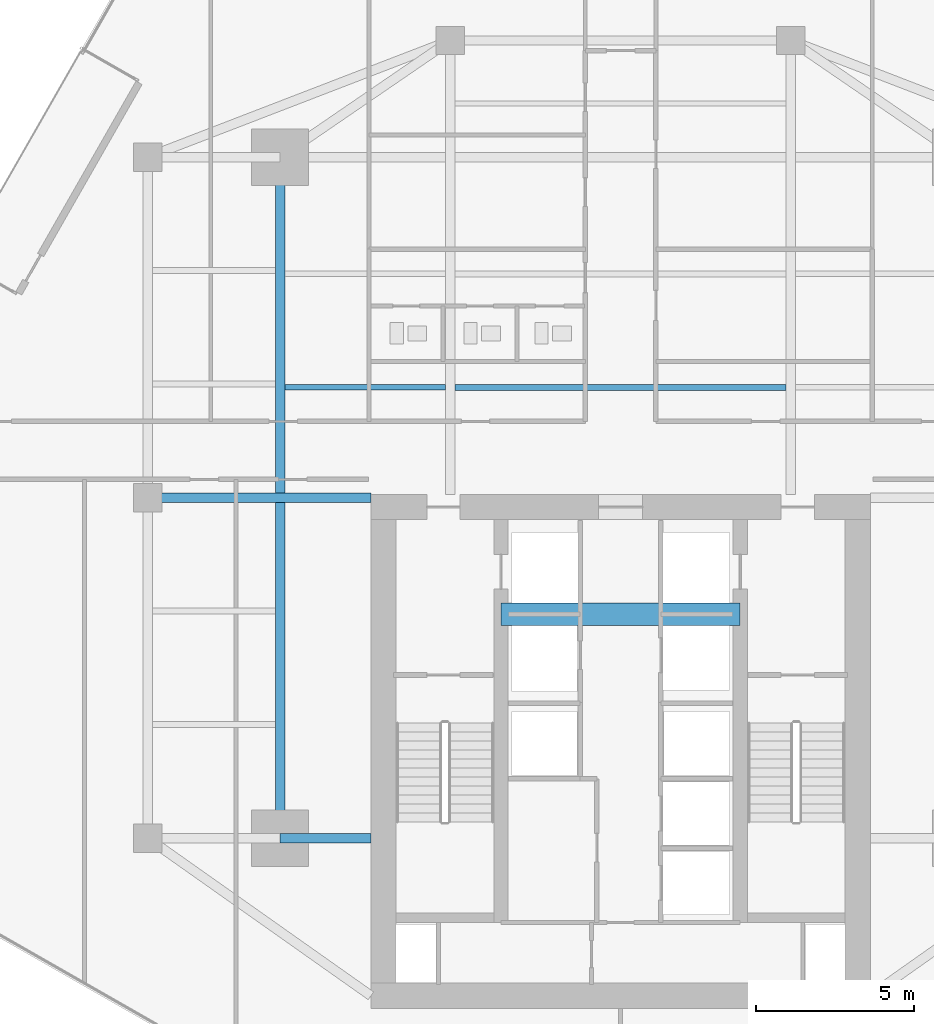
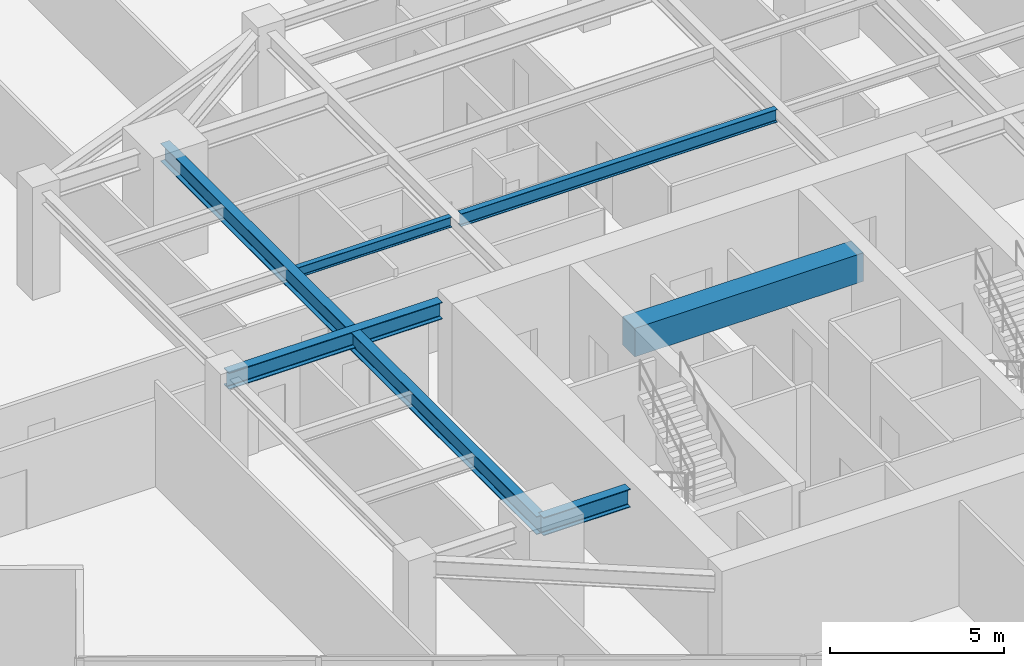
# One storey, part 8 of 24: 6 beams.
"""IFC4 building model written with IfcOpenShell, lengths in metres."""

from ifc_helpers import new_model, si_unit, direction, frame, origin, origin_2d, place, context, subcontext, project, spatial, rectangle, i_section, extrude, source, transform, mapped, material, material_profile, profile_set, type_object, type_shapes, element, save


model = new_model("IFC4")

# Units and contexts
model_context = context("Model", 3, precision=1e-05, world=origin(), true_north=direction((0.0, 1.0)))
body_context = subcontext(model_context, "Body", "Model", "MODEL_VIEW")
ifc_project = project(units=[si_unit("LENGTHUNIT", "METRE"), si_unit("AREAUNIT", "SQUARE_METRE"), si_unit("VOLUMEUNIT", "CUBIC_METRE"), si_unit("PLANEANGLEUNIT", "RADIAN"), si_unit("MASSUNIT", "GRAM", prefix="KILO")], contexts=[model_context])

# Site, building, storey
site_placement = place(None, origin())
site = spatial("IfcSite", under=ifc_project, at=site_placement, CompositionType="ELEMENT")
building_placement = place(site_placement, origin())
building = spatial("IfcBuilding", under=site, at=building_placement, Name="Krantzveldt Concourse Tower", CompositionType="ELEMENT")
storey_placement = place(building_placement, frame((0.0, 0.0, 162.0)))
storey = spatial("IfcBuildingStorey", under=building, at=storey_placement, Name="L39", CompositionType="ELEMENT", Elevation=162.0)

# Beams
ifc_material_1 = material(Name="Steel S355JR", Category="steel")
ifc_material_profile_1 = material_profile(ifc_material_1, i_section(OverallWidth=0.300048828125, OverallDepth=0.639892578125, WebThickness=0.013427734375, FlangeThickness=0.02587890625, FilletRadius=0.027099609375, at=origin_2d()), Name="Steel S355JR", Category="steel")
ifc_profile_set_1 = profile_set([ifc_material_profile_1], Name="Steel S355JR - HEA 650")
beam_type_1 = type_object("IfcBeamType", Name="BM-B-HEA650", PredefinedType="BEAM", material=ifc_profile_set_1)
shared_shape_1 = source(origin(), body_context, "Body", "SweptSolid", [
    extrude(i_section(OverallWidth=0.300048828125, OverallDepth=0.639892578125, WebThickness=0.013427734375, FlangeThickness=0.02587890625, FilletRadius=0.027099609375, at=origin_2d()), origin(), (0.0, 0.0, 1.0), 21.60009765625),
])
beam_1_placement = place(storey_placement, frame((25.199951171875, 15.89990234375, 3.35009765625), z_axis=(0.0, 1.0, 0.0), x_axis=(-1.0, 0.0, 0.0)))
element("IfcBeam", 1, at=beam_1_placement, inside=storey, type_object=beam_type_1, Name="L39 Tower Girder BG-MW", PredefinedType="BEAM", context=body_context, shape_type="MappedRepresentation", body=[
    mapped(shared_shape_1, transform((0.0, 0.0, 0.0), x_axis=(1.0, 0.0, 0.0), y_axis=(0.0, 1.0, 0.0), z_axis=(0.0, 0.0, 1.0), scale=1.0)),
])
ifc_material_profile_2 = material_profile(ifc_material_1, i_section(OverallWidth=0.300048828125, OverallDepth=0.590087890625, WebThickness=0.012939453125, FlangeThickness=0.02490234375, FilletRadius=0.027099609375, at=origin_2d()), Name="Steel S355JR", Category="steel")
ifc_profile_set_2 = profile_set([ifc_material_profile_2], Name="Steel S355JR - HEA 600")
beam_type_2 = type_object("IfcBeamType", Name="BM-B-HEA600", PredefinedType="BEAM", material=ifc_profile_set_2)
shared_shape_2 = source(origin(), body_context, "Body", "SweptSolid", [
    extrude(i_section(OverallWidth=0.300048828125, OverallDepth=0.590087890625, WebThickness=0.012939453125, FlangeThickness=0.02490234375, FilletRadius=0.027099609375, at=origin_2d()), origin(), (0.0, 0.0, 1.0), 7.080078125),
])
type_shapes(beam_type_2, [shared_shape_2])
beam_2_placement = place(storey_placement, frame((21.0, 26.699951171875, 3.375), z_axis=(1.0, 0.0, 0.0), x_axis=(0.0, 1.0, 0.0)))
element("IfcBeam", 2, at=beam_2_placement, inside=storey, type_object=beam_type_2, Name="L39 Tower Girder BG-CW2", PredefinedType="BEAM", context=body_context, shape_type="MappedRepresentation", body=[
    mapped(shared_shape_2, transform((0.0, 0.0, 0.0), x_axis=(1.0, 0.0, 0.0), y_axis=(0.0, 1.0, 0.0), z_axis=(0.0, 0.0, 1.0), scale=1.0)),
])
ifc_material_profile_3 = material_profile(ifc_material_1, i_section(OverallWidth=0.18994140625, OverallDepth=0.449951171875, WebThickness=0.009521484375, FlangeThickness=0.0146484375, FilletRadius=0.02099609375, at=origin_2d()), Name="Steel S355JR", Category="steel")
ifc_profile_set_3 = profile_set([ifc_material_profile_3], Name="Steel S355JR - IPE 450")
beam_type_3 = type_object("IfcBeamType", Name="BM-J-IPE450", PredefinedType="JOIST", material=ifc_profile_set_3)
shared_shape_3 = source(origin(), body_context, "Body", "SweptSolid", [
    extrude(i_section(OverallWidth=0.18994140625, OverallDepth=0.449951171875, WebThickness=0.009521484375, FlangeThickness=0.0146484375, FilletRadius=0.02099609375, at=origin_2d()), origin(), (0.0, 0.0, 1.0), 10.5),
])
type_shapes(beam_type_3, [shared_shape_3])
beam_3_placement = place(storey_placement, frame((30.75, 30.199951171875, 3.445068359375), z_axis=(1.0, 0.0, 0.0), x_axis=(0.0, 1.0, 0.0)))
element("IfcBeam", 3, at=beam_3_placement, inside=storey, type_object=beam_type_3, Name="L39 Secondary Floor Joist JN-C1", PredefinedType="JOIST", context=body_context, shape_type="MappedRepresentation", body=[
    mapped(shared_shape_3, transform((0.0, 0.0, 0.0), x_axis=(1.0, 0.0, 0.0), y_axis=(0.0, 1.0, 0.0), z_axis=(0.0, 0.0, 1.0), scale=1.0)),
])
ifc_material_2 = material(Name="Concrete C50/60", Category="concrete")
ifc_material_profile_4 = material_profile(ifc_material_2, rectangle(XDim=0.699951171875, YDim=1.0, at=origin_2d()), Name="Concrete C50/60", Category="concrete")
ifc_profile_set_4 = profile_set([ifc_material_profile_4], Name="Concrete C50/60 - RC-CB 700x1000")
beam_type_4 = type_object("IfcBeamType", Name="BM-CB-1000", PredefinedType="LINTEL", material=ifc_profile_set_4)
shared_shape_4 = source(origin(), body_context, "Body", "SweptSolid", [
    extrude(rectangle(XDim=0.699951171875, YDim=1.0, at=origin_2d()), origin(), (0.0, 0.0, 1.0), 7.580078125),
])
type_shapes(beam_type_4, [shared_shape_4])
beam_4_placement = place(storey_placement, frame((32.2099609375, 23.0, 3.169921875), z_axis=(1.0, 0.0, 0.0), x_axis=(0.0, 1.0, 0.0)))
element("IfcBeam", 4, at=beam_4_placement, inside=storey, type_object=beam_type_4, Name="CB-L39-01", PredefinedType="LINTEL", context=body_context, shape_type="MappedRepresentation", body=[
    mapped(shared_shape_4, transform((0.0, 0.0, 0.0), x_axis=(1.0, 0.0, 0.0), y_axis=(0.0, 1.0, 0.0), z_axis=(0.0, 0.0, 1.0), scale=1.0)),
])
shared_shape_5 = source(origin(), body_context, "Body", "SweptSolid", [
    extrude(i_section(OverallWidth=0.300048828125, OverallDepth=0.639892578125, WebThickness=0.013427734375, FlangeThickness=0.02587890625, FilletRadius=0.027099609375, at=origin_2d()), origin(), (0.0, 0.0, 1.0), 2.880126953125),
])
type_shapes(beam_type_1, [shared_shape_1, shared_shape_5])
beam_5_placement = place(storey_placement, frame((25.199951171875, 15.89990234375, 3.35009765625), z_axis=(1.0, 0.0, 0.0), x_axis=(0.0, 1.0, 0.0)))
element("IfcBeam", 5, at=beam_5_placement, inside=storey, type_object=beam_type_1, Name="L39 Tower Girder BG-CW1", PredefinedType="BEAM", context=body_context, shape_type="MappedRepresentation", body=[
    mapped(shared_shape_5, transform((0.0, 0.0, 0.0), x_axis=(1.0, 0.0, 0.0), y_axis=(0.0, 1.0, 0.0), z_axis=(0.0, 0.0, 1.0), scale=1.0)),
])
ifc_material_profile_5 = material_profile(ifc_material_1, i_section(OverallWidth=0.169921875, OverallDepth=0.360107421875, WebThickness=0.008056640625, FlangeThickness=0.0126953125, FilletRadius=0.01806640625, at=origin_2d()), Name="Steel S355JR", Category="steel")
ifc_profile_set_5 = profile_set([ifc_material_profile_5], Name="Steel S355JR - IPE 360")
beam_type_5 = type_object("IfcBeamType", Name="BM-J-IPE360", PredefinedType="JOIST", material=ifc_profile_set_5)
shared_shape_6 = source(origin(), body_context, "Body", "SweptSolid", [
    extrude(i_section(OverallWidth=0.169921875, OverallDepth=0.360107421875, WebThickness=0.008056640625, FlangeThickness=0.0126953125, FilletRadius=0.01806640625, at=origin_2d()), origin(), (0.0, 0.0, 1.0), 5.099853515625),
])
type_shapes(beam_type_5, [shared_shape_6])
beam_6_placement = place(storey_placement, frame((25.35009765625, 30.199951171875, 3.489990234375), z_axis=(1.0, 0.0, 0.0), x_axis=(0.0, 1.0, 0.0)))
element("IfcBeam", 6, at=beam_6_placement, inside=storey, type_object=beam_type_5, Name="L39 Secondary Floor Joist JN-W1", PredefinedType="JOIST", context=body_context, shape_type="MappedRepresentation", body=[
    mapped(shared_shape_6, transform((0.0, 0.0, 0.0), x_axis=(1.0, 0.0, 0.0), y_axis=(0.0, 1.0, 0.0), z_axis=(0.0, 0.0, 1.0), scale=1.0)),
])

save(model, "model.ifc")
